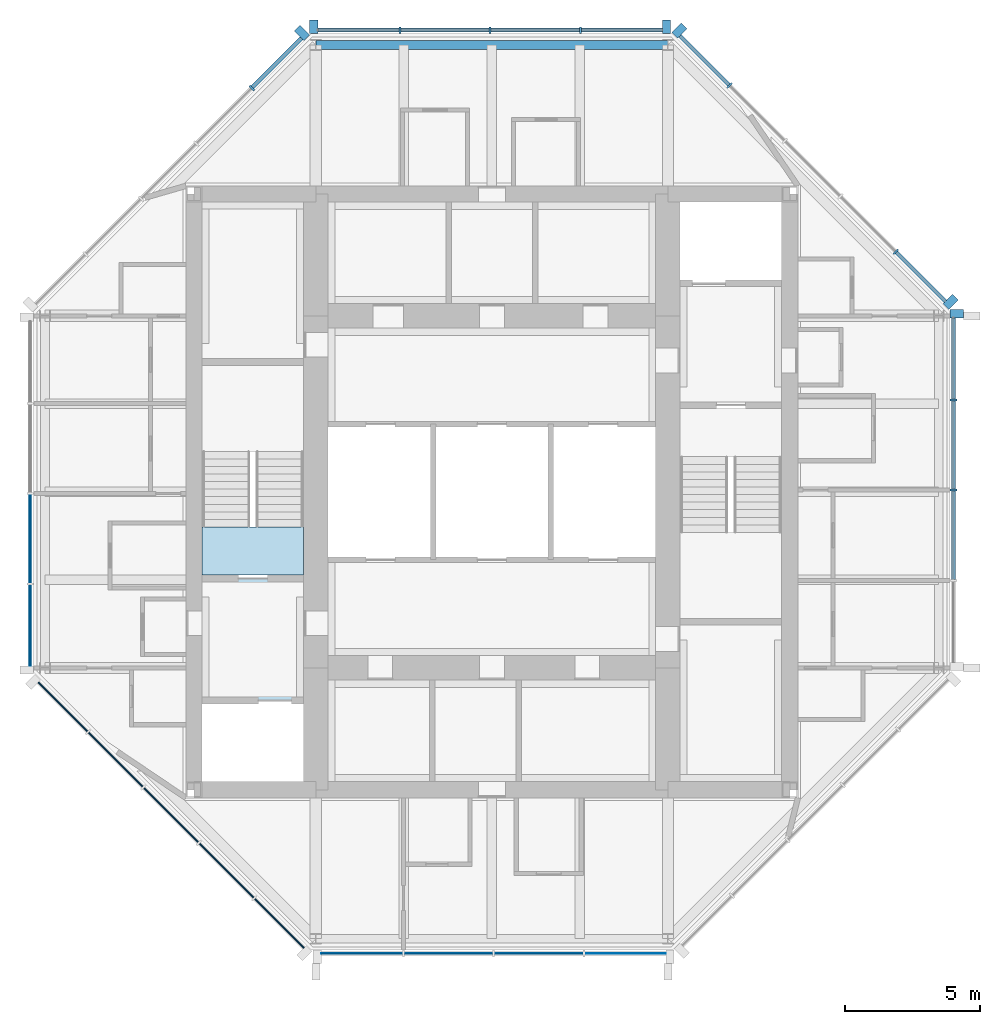
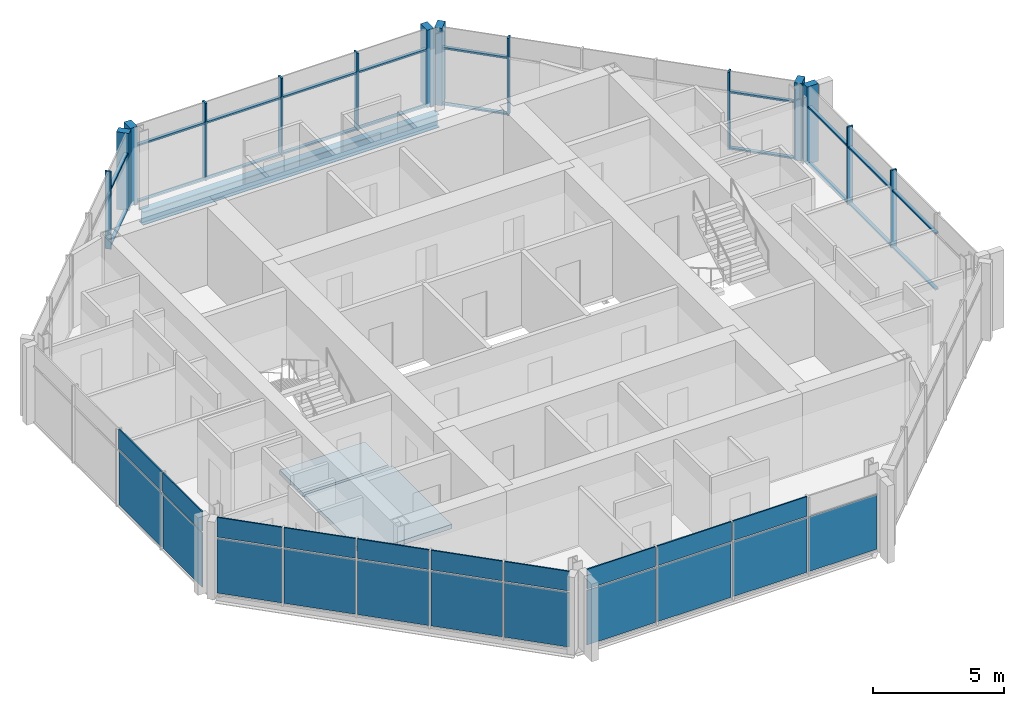
# One storey, part 3 of 9: 34 members, 21 plates, 2 slabs, 1 beam, 8 elements without a shape of their own.
"""IFC4 building model written with IfcOpenShell, lengths in metres."""

from ifc_helpers import new_model, si_unit, direction, frame, origin, origin_2d, place, context, subcontext, project, spatial, polyline, rectangle, i_section, outline, extrude, material, layer, layer_set, material_profile, profile_set, type_object, element, aggregate, save


model = new_model("IFC4")

# Units and contexts
model_context = context("Model", 3, precision=1e-05, world=origin(), true_north=direction((0.0, 1.0)))
body_context = subcontext(model_context, "Body", "Model", "MODEL_VIEW")
ifc_project = project(units=[si_unit("LENGTHUNIT", "METRE"), si_unit("AREAUNIT", "SQUARE_METRE"), si_unit("VOLUMEUNIT", "CUBIC_METRE"), si_unit("PLANEANGLEUNIT", "RADIAN"), si_unit("MASSUNIT", "GRAM", prefix="KILO")], contexts=[model_context])

# Site, building, storey
site_placement = place(None, origin())
site = spatial("IfcSite", under=ifc_project, at=site_placement, CompositionType="ELEMENT")
building_placement = place(site_placement, origin())
building = spatial("IfcBuilding", under=site, at=building_placement, Name="Trevanion Tower", CompositionType="ELEMENT")
storey_placement = place(building_placement, frame((0.0, 0.0, 295.60009765625)))
storey = spatial("IfcBuildingStorey", under=building, at=storey_placement, Name="L73", CompositionType="ELEMENT", Elevation=295.60009765625)

# Curtain wall, members
ifc_material_1 = material(Name="Aluminium and glass", Category="aluminium")
curtain_wall_type = type_object("IfcCurtainWallType", Name="CW4 curtain wall", PredefinedType="USERDEFINED", material=ifc_material_1)
curtain_wall_1_placement = place(storey_placement, origin())
curtain_wall_1 = element("IfcCurtainWall", 1, at=curtain_wall_1_placement, inside=storey, type_object=curtain_wall_type, Name="CW4 L73 0", ObjectType="UNITISED CURTAIN WALL", PredefinedType="USERDEFINED")
ifc_material_2 = material(Name="Aluminium extrusion, anodised bronze", Category="aluminium")
ifc_material_profile_1 = material_profile(ifc_material_2, rectangle(XDim=0.074951171875, YDim=0.25, at=origin_2d()), Name="CW4 mullion")
ifc_profile_set_1 = profile_set([ifc_material_profile_1], Name="Aluminium extrusion, anodised bronze")
member_type_1 = type_object("IfcMemberType", Name="CW4 mullion", PredefinedType="MULLION", material=ifc_profile_set_1)
member_1_placement = place(storey_placement, frame((17.050048828125, 0.06494140625, -0.190185546875), z_axis=(0.0, 0.0, 1.0), x_axis=(0.0, 1.0, 0.0)))
member_1 = element("IfcMember", 2, at=member_1_placement, type_object=member_type_1, Name="CW4 mullion 3", PredefinedType="MULLION", context=body_context, shape_type="SweptSolid", body=[
    extrude(rectangle(XDim=0.074951171875, YDim=0.25, at=origin_2d()), origin(), (0.0, 0.0, 1.0), 3.60009765625),
])
member_2_placement = place(storey_placement, frame((17.050048828125, 3.396484375, -0.190185546875), z_axis=(0.0, 0.0, 1.0), x_axis=(0.0, 1.0, 0.0)))
member_2 = element("IfcMember", 3, at=member_2_placement, type_object=member_type_1, Name="CW4 mullion 4", PredefinedType="MULLION", context=body_context, shape_type="SweptSolid", body=[
    extrude(rectangle(XDim=0.074951171875, YDim=0.25, at=origin_2d()), origin(), (0.0, 0.0, 1.0), 3.60009765625),
])

curtain_wall_2_placement = place(storey_placement, origin())
curtain_wall_2 = element("IfcCurtainWall", 4, at=curtain_wall_2_placement, inside=storey, type_object=curtain_wall_type, Name="CW4 L73 1", ObjectType="UNITISED CURTAIN WALL", PredefinedType="USERDEFINED")
member_3_placement = place(storey_placement, frame((14.912109375, 8.86572265625, -0.190185546875), z_axis=(0.0, 0.0, 1.0), x_axis=(-0.707106781187, 0.707106781187, 0.0)))
member_3 = element("IfcMember", 5, at=member_3_placement, type_object=member_type_1, Name="CW4 mullion 2", PredefinedType="MULLION", context=body_context, shape_type="SweptSolid", body=[
    extrude(rectangle(XDim=0.074951171875, YDim=0.25, at=origin_2d()), origin(), (0.0, 0.0, 1.0), 3.60009765625),
])
member_4_placement = place(storey_placement, frame((8.77392578125, 15.00390625, -0.190185546875), z_axis=(0.0, 0.0, 1.0), x_axis=(-0.707106781187, 0.707106781187, 0.0)))
member_4 = element("IfcMember", 6, at=member_4_placement, type_object=member_type_1, Name="CW4 mullion 5", PredefinedType="MULLION", context=body_context, shape_type="SweptSolid", body=[
    extrude(rectangle(XDim=0.074951171875, YDim=0.25, at=origin_2d()), origin(), (0.0, 0.0, 1.0), 3.60009765625),
])

curtain_wall_3_placement = place(storey_placement, origin())
curtain_wall_3 = element("IfcCurtainWall", 7, at=curtain_wall_3_placement, inside=storey, type_object=curtain_wall_type, Name="CW4 L73 2", ObjectType="UNITISED CURTAIN WALL", PredefinedType="USERDEFINED")
member_5_placement = place(storey_placement, frame((3.266357421875, 17.050048828125, -0.190185546875), z_axis=(0.0, 0.0, 1.0), x_axis=(-1.0, 0.0, 0.0)))
member_5 = element("IfcMember", 8, at=member_5_placement, type_object=member_type_1, Name="CW4 mullion 2", PredefinedType="MULLION", context=body_context, shape_type="SweptSolid", body=[
    extrude(rectangle(XDim=0.074951171875, YDim=0.25, at=origin_2d()), origin(), (0.0, 0.0, 1.0), 3.60009765625),
])
member_6_placement = place(storey_placement, frame((-0.06494140625, 17.050048828125, -0.190185546875), z_axis=(0.0, 0.0, 1.0), x_axis=(-1.0, 0.0, 0.0)))
member_6 = element("IfcMember", 9, at=member_6_placement, type_object=member_type_1, Name="CW4 mullion 3", PredefinedType="MULLION", context=body_context, shape_type="SweptSolid", body=[
    extrude(rectangle(XDim=0.074951171875, YDim=0.25, at=origin_2d()), origin(), (0.0, 0.0, 1.0), 3.60009765625),
])
member_7_placement = place(storey_placement, frame((-3.396484375, 17.050048828125, -0.190185546875), z_axis=(0.0, 0.0, 1.0), x_axis=(-1.0, 0.0, 0.0)))
member_7 = element("IfcMember", 10, at=member_7_placement, type_object=member_type_1, Name="CW4 mullion 4", PredefinedType="MULLION", context=body_context, shape_type="SweptSolid", body=[
    extrude(rectangle(XDim=0.074951171875, YDim=0.25, at=origin_2d()), origin(), (0.0, 0.0, 1.0), 3.60009765625),
])

# Curtain wall, member
curtain_wall_4_placement = place(storey_placement, origin())
curtain_wall_4 = element("IfcCurtainWall", 11, at=curtain_wall_4_placement, inside=storey, type_object=curtain_wall_type, Name="CW4 L73 3", ObjectType="UNITISED CURTAIN WALL", PredefinedType="USERDEFINED")
member_8_placement = place(storey_placement, frame((-8.86572265625, 14.912109375, -0.190185546875), z_axis=(0.0, 0.0, 1.0), x_axis=(-0.707106781187, -0.707106781187, 0.0)))
member_8 = element("IfcMember", 12, at=member_8_placement, type_object=member_type_1, Name="CW4 mullion 2", PredefinedType="MULLION", context=body_context, shape_type="SweptSolid", body=[
    extrude(rectangle(XDim=0.074951171875, YDim=0.25, at=origin_2d()), origin(), (0.0, 0.0, 1.0), 3.60009765625),
])

# Member
ifc_material_3 = material(Name="Aluminium extrusion, anodised bronze", Category="aluminium")
ifc_material_profile_2 = material_profile(ifc_material_3, rectangle(XDim=0.300048828125, YDim=0.5, at=origin_2d()), Name="CW4 pier mullion")
ifc_profile_set_2 = profile_set([ifc_material_profile_2], Name="Aluminium extrusion, anodised bronze")
member_type_2 = type_object("IfcMemberType", Name="CW4 pier mullion", PredefinedType="MULLION", material=ifc_profile_set_2)
member_9_placement = place(storey_placement, frame((17.175048828125, 6.577880859375, -0.190185546875), z_axis=(0.0, 0.0, 1.0), x_axis=(0.0, 1.0, 0.0)))
member_9 = element("IfcMember", 13, at=member_9_placement, type_object=member_type_2, Name="CW4 pier mullion 5", PredefinedType="MULLION", context=body_context, shape_type="SweptSolid", body=[
    extrude(rectangle(XDim=0.300048828125, YDim=0.5, at=origin_2d()), origin(), (0.0, 0.0, 1.0), 3.60009765625),
])

member_10_placement = place(storey_placement, frame((16.9404296875, 7.01416015625, -0.190185546875), z_axis=(0.0, 0.0, 1.0), x_axis=(-0.707106781187, 0.707106781187, 0.0)))
member_10 = element("IfcMember", 14, at=member_10_placement, type_object=member_type_2, Name="CW4 pier mullion 1", PredefinedType="MULLION", context=body_context, shape_type="SweptSolid", body=[
    extrude(rectangle(XDim=0.300048828125, YDim=0.5, at=origin_2d()), origin(), (0.0, 0.0, 1.0), 3.60009765625),
])

member_11_placement = place(storey_placement, frame((6.92236328125, 17.0322265625, -0.190185546875), z_axis=(0.0, 0.0, 1.0), x_axis=(-0.707106781187, 0.707106781187, 0.0)))
member_11 = element("IfcMember", 15, at=member_11_placement, type_object=member_type_2, Name="CW4 pier mullion 6", PredefinedType="MULLION", context=body_context, shape_type="SweptSolid", body=[
    extrude(rectangle(XDim=0.300048828125, YDim=0.5, at=origin_2d()), origin(), (0.0, 0.0, 1.0), 3.60009765625),
])

member_12_placement = place(storey_placement, frame((6.44775390625, 17.175048828125, -0.190185546875), z_axis=(0.0, 0.0, 1.0), x_axis=(-1.0, 0.0, 0.0)))
member_12 = element("IfcMember", 16, at=member_12_placement, type_object=member_type_2, Name="CW4 pier mullion 1", PredefinedType="MULLION", context=body_context, shape_type="SweptSolid", body=[
    extrude(rectangle(XDim=0.300048828125, YDim=0.5, at=origin_2d()), origin(), (0.0, 0.0, 1.0), 3.60009765625),
])

member_13_placement = place(storey_placement, frame((-6.577880859375, 17.175048828125, -0.190185546875), z_axis=(0.0, 0.0, 1.0), x_axis=(-1.0, 0.0, 0.0)))
member_13 = element("IfcMember", 17, at=member_13_placement, type_object=member_type_2, Name="CW4 pier mullion 5", PredefinedType="MULLION", context=body_context, shape_type="SweptSolid", body=[
    extrude(rectangle(XDim=0.300048828125, YDim=0.5, at=origin_2d()), origin(), (0.0, 0.0, 1.0), 3.60009765625),
])

member_14_placement = place(storey_placement, frame((-7.01416015625, 16.9404296875, -0.190185546875), z_axis=(0.0, 0.0, 1.0), x_axis=(-0.707106781187, -0.707106781187, 0.0)))
member_14 = element("IfcMember", 18, at=member_14_placement, type_object=member_type_2, Name="CW4 pier mullion 1", PredefinedType="MULLION", context=body_context, shape_type="SweptSolid", body=[
    extrude(rectangle(XDim=0.300048828125, YDim=0.5, at=origin_2d()), origin(), (0.0, 0.0, 1.0), 3.60009765625),
])

ifc_material_4 = material(Name="Aluminium extrusion, anodised bronze", Category="aluminium")
ifc_material_profile_3 = material_profile(ifc_material_4, rectangle(XDim=0.14990234375, YDim=0.074951171875, at=origin_2d()), Name="CW4 transom")
ifc_profile_set_3 = profile_set([ifc_material_profile_3], Name="Aluminium extrusion, anodised bronze")
member_type_3 = type_object("IfcMemberType", Name="CW4 transom", PredefinedType="USERDEFINED", material=ifc_profile_set_3)
member_15_placement = place(storey_placement, frame((17.050048828125, -3.22900390625, -0.152587890625), z_axis=(0.0, 1.0, 0.0), x_axis=(-1.0, 0.0, 0.0)))
member_15 = element("IfcMember", 19, at=member_15_placement, type_object=member_type_3, Name="CW4 transom 2.1", ObjectType="TRANSOM", PredefinedType="USERDEFINED", context=body_context, shape_type="SweptSolid", body=[
    extrude(rectangle(XDim=0.14990234375, YDim=0.074951171875, at=origin_2d()), origin(), (0.0, 0.0, 1.0), 3.256591796875),
])

member_16_placement = place(storey_placement, frame((17.050048828125, -3.22900390625, 2.4599609375), z_axis=(0.0, 1.0, 0.0), x_axis=(-1.0, 0.0, 0.0)))
member_16 = element("IfcMember", 20, at=member_16_placement, type_object=member_type_3, Name="CW4 transom 2.2", ObjectType="TRANSOM", PredefinedType="USERDEFINED", context=body_context, shape_type="SweptSolid", body=[
    extrude(rectangle(XDim=0.14990234375, YDim=0.074951171875, at=origin_2d()), origin(), (0.0, 0.0, 1.0), 3.256591796875),
])

member_17_placement = place(storey_placement, frame((17.050048828125, 0.1025390625, -0.152587890625), z_axis=(0.0, 1.0, 0.0), x_axis=(-1.0, 0.0, 0.0)))
member_17 = element("IfcMember", 21, at=member_17_placement, type_object=member_type_3, Name="CW4 transom 3.1", ObjectType="TRANSOM", PredefinedType="USERDEFINED", context=body_context, shape_type="SweptSolid", body=[
    extrude(rectangle(XDim=0.14990234375, YDim=0.074951171875, at=origin_2d()), origin(), (0.0, 0.0, 1.0), 3.25634765625),
])

member_18_placement = place(storey_placement, frame((17.050048828125, 0.1025390625, 2.4599609375), z_axis=(0.0, 1.0, 0.0), x_axis=(-1.0, 0.0, 0.0)))
member_18 = element("IfcMember", 22, at=member_18_placement, type_object=member_type_3, Name="CW4 transom 3.2", ObjectType="TRANSOM", PredefinedType="USERDEFINED", context=body_context, shape_type="SweptSolid", body=[
    extrude(rectangle(XDim=0.14990234375, YDim=0.074951171875, at=origin_2d()), origin(), (0.0, 0.0, 1.0), 3.25634765625),
])

member_19_placement = place(storey_placement, frame((17.050048828125, 3.433837890625, -0.152587890625), z_axis=(0.0, 1.0, 0.0), x_axis=(-1.0, 0.0, 0.0)))
member_19 = element("IfcMember", 23, at=member_19_placement, type_object=member_type_3, Name="CW4 transom 4.1", ObjectType="TRANSOM", PredefinedType="USERDEFINED", context=body_context, shape_type="SweptSolid", body=[
    extrude(rectangle(XDim=0.14990234375, YDim=0.074951171875, at=origin_2d()), origin(), (0.0, 0.0, 1.0), 2.993896484375),
])

member_20_placement = place(storey_placement, frame((17.050048828125, 3.433837890625, 2.4599609375), z_axis=(0.0, 1.0, 0.0), x_axis=(-1.0, 0.0, 0.0)))
member_20 = element("IfcMember", 24, at=member_20_placement, type_object=member_type_3, Name="CW4 transom 4.2", ObjectType="TRANSOM", PredefinedType="USERDEFINED", context=body_context, shape_type="SweptSolid", body=[
    extrude(rectangle(XDim=0.14990234375, YDim=0.074951171875, at=origin_2d()), origin(), (0.0, 0.0, 1.0), 2.993896484375),
])

aggregate(curtain_wall_1, [member_1, member_2, member_9, member_15, member_16, member_17, member_18, member_19, member_20])

member_21_placement = place(storey_placement, frame((16.745849609375, 7.031982421875, -0.152587890625), z_axis=(-0.707106781187, 0.707106781187, 0.0), x_axis=(-0.707106781187, -0.707106781187, 0.0)))
member_21 = element("IfcMember", 25, at=member_21_placement, type_object=member_type_3, Name="CW4 transom 1.1", ObjectType="TRANSOM", PredefinedType="USERDEFINED", context=body_context, shape_type="SweptSolid", body=[
    extrude(rectangle(XDim=0.14990234375, YDim=0.074951171875, at=origin_2d()), origin(), (0.0, 0.0, 1.0), 2.555908203125),
])

member_22_placement = place(storey_placement, frame((16.745849609375, 7.031982421875, 2.4599609375), z_axis=(-0.707106781187, 0.707106781187, 0.0), x_axis=(-0.707106781187, -0.707106781187, 0.0)))
member_22 = element("IfcMember", 26, at=member_22_placement, type_object=member_type_3, Name="CW4 transom 1.2", ObjectType="TRANSOM", PredefinedType="USERDEFINED", context=body_context, shape_type="SweptSolid", body=[
    extrude(rectangle(XDim=0.14990234375, YDim=0.074951171875, at=origin_2d()), origin(), (0.0, 0.0, 1.0), 2.555908203125),
])

member_23_placement = place(storey_placement, frame((8.747314453125, 15.030517578125, -0.152587890625), z_axis=(-0.707106781187, 0.707106781187, 0.0), x_axis=(-0.707106781187, -0.707106781187, 0.0)))
member_23 = element("IfcMember", 27, at=member_23_placement, type_object=member_type_3, Name="CW4 transom 5.1", ObjectType="TRANSOM", PredefinedType="USERDEFINED", context=body_context, shape_type="SweptSolid", body=[
    extrude(rectangle(XDim=0.14990234375, YDim=0.074951171875, at=origin_2d()), origin(), (0.0, 0.0, 1.0), 2.555908203125),
])

member_24_placement = place(storey_placement, frame((8.747314453125, 15.030517578125, 2.4599609375), z_axis=(-0.707106781187, 0.707106781187, 0.0), x_axis=(-0.707106781187, -0.707106781187, 0.0)))
member_24 = element("IfcMember", 28, at=member_24_placement, type_object=member_type_3, Name="CW4 transom 5.2", ObjectType="TRANSOM", PredefinedType="USERDEFINED", context=body_context, shape_type="SweptSolid", body=[
    extrude(rectangle(XDim=0.14990234375, YDim=0.074951171875, at=origin_2d()), origin(), (0.0, 0.0, 1.0), 2.555908203125),
])

aggregate(curtain_wall_2, [member_10, member_3, member_4, member_11, member_21, member_22, member_23, member_24])

member_25_placement = place(storey_placement, frame((6.2978515625, 17.050048828125, -0.152587890625), z_axis=(-1.0, 0.0, 0.0), x_axis=(0.0, -1.0, 0.0)))
member_25 = element("IfcMember", 29, at=member_25_placement, type_object=member_type_3, Name="CW4 transom 1.1", ObjectType="TRANSOM", PredefinedType="USERDEFINED", context=body_context, shape_type="SweptSolid", body=[
    extrude(rectangle(XDim=0.14990234375, YDim=0.074951171875, at=origin_2d()), origin(), (0.0, 0.0, 1.0), 2.993896484375),
])

member_26_placement = place(storey_placement, frame((6.2978515625, 17.050048828125, 2.4599609375), z_axis=(-1.0, 0.0, 0.0), x_axis=(0.0, -1.0, 0.0)))
member_26 = element("IfcMember", 30, at=member_26_placement, type_object=member_type_3, Name="CW4 transom 1.2", ObjectType="TRANSOM", PredefinedType="USERDEFINED", context=body_context, shape_type="SweptSolid", body=[
    extrude(rectangle(XDim=0.14990234375, YDim=0.074951171875, at=origin_2d()), origin(), (0.0, 0.0, 1.0), 2.993896484375),
])

member_27_placement = place(storey_placement, frame((3.22900390625, 17.050048828125, -0.152587890625), z_axis=(-1.0, 0.0, 0.0), x_axis=(0.0, -1.0, 0.0)))
member_27 = element("IfcMember", 31, at=member_27_placement, type_object=member_type_3, Name="CW4 transom 2.1", ObjectType="TRANSOM", PredefinedType="USERDEFINED", context=body_context, shape_type="SweptSolid", body=[
    extrude(rectangle(XDim=0.14990234375, YDim=0.074951171875, at=origin_2d()), origin(), (0.0, 0.0, 1.0), 3.256591796875),
])

member_28_placement = place(storey_placement, frame((3.22900390625, 17.050048828125, 2.4599609375), z_axis=(-1.0, 0.0, 0.0), x_axis=(0.0, -1.0, 0.0)))
member_28 = element("IfcMember", 32, at=member_28_placement, type_object=member_type_3, Name="CW4 transom 2.2", ObjectType="TRANSOM", PredefinedType="USERDEFINED", context=body_context, shape_type="SweptSolid", body=[
    extrude(rectangle(XDim=0.14990234375, YDim=0.074951171875, at=origin_2d()), origin(), (0.0, 0.0, 1.0), 3.256591796875),
])

member_29_placement = place(storey_placement, frame((-0.1025390625, 17.050048828125, -0.152587890625), z_axis=(-1.0, 0.0, 0.0), x_axis=(0.0, -1.0, 0.0)))
member_29 = element("IfcMember", 33, at=member_29_placement, type_object=member_type_3, Name="CW4 transom 3.1", ObjectType="TRANSOM", PredefinedType="USERDEFINED", context=body_context, shape_type="SweptSolid", body=[
    extrude(rectangle(XDim=0.14990234375, YDim=0.074951171875, at=origin_2d()), origin(), (0.0, 0.0, 1.0), 3.25634765625),
])

member_30_placement = place(storey_placement, frame((-0.1025390625, 17.050048828125, 2.4599609375), z_axis=(-1.0, 0.0, 0.0), x_axis=(0.0, -1.0, 0.0)))
member_30 = element("IfcMember", 34, at=member_30_placement, type_object=member_type_3, Name="CW4 transom 3.2", ObjectType="TRANSOM", PredefinedType="USERDEFINED", context=body_context, shape_type="SweptSolid", body=[
    extrude(rectangle(XDim=0.14990234375, YDim=0.074951171875, at=origin_2d()), origin(), (0.0, 0.0, 1.0), 3.25634765625),
])

member_31_placement = place(storey_placement, frame((-3.433837890625, 17.050048828125, -0.152587890625), z_axis=(-1.0, 0.0, 0.0), x_axis=(0.0, -1.0, 0.0)))
member_31 = element("IfcMember", 35, at=member_31_placement, type_object=member_type_3, Name="CW4 transom 4.1", ObjectType="TRANSOM", PredefinedType="USERDEFINED", context=body_context, shape_type="SweptSolid", body=[
    extrude(rectangle(XDim=0.14990234375, YDim=0.074951171875, at=origin_2d()), origin(), (0.0, 0.0, 1.0), 2.993896484375),
])

member_32_placement = place(storey_placement, frame((-3.433837890625, 17.050048828125, 2.4599609375), z_axis=(-1.0, 0.0, 0.0), x_axis=(0.0, -1.0, 0.0)))
member_32 = element("IfcMember", 36, at=member_32_placement, type_object=member_type_3, Name="CW4 transom 4.2", ObjectType="TRANSOM", PredefinedType="USERDEFINED", context=body_context, shape_type="SweptSolid", body=[
    extrude(rectangle(XDim=0.14990234375, YDim=0.074951171875, at=origin_2d()), origin(), (0.0, 0.0, 1.0), 2.993896484375),
])

aggregate(curtain_wall_3, [member_12, member_5, member_6, member_7, member_13, member_25, member_26, member_27, member_28, member_29, member_30, member_31, member_32])

member_33_placement = place(storey_placement, frame((-7.031982421875, 16.745849609375, -0.152587890625), z_axis=(-0.707106781187, -0.707106781187, 0.0), x_axis=(0.707106781187, -0.707106781187, 0.0)))
member_33 = element("IfcMember", 37, at=member_33_placement, type_object=member_type_3, Name="CW4 transom 1.1", ObjectType="TRANSOM", PredefinedType="USERDEFINED", context=body_context, shape_type="SweptSolid", body=[
    extrude(rectangle(XDim=0.14990234375, YDim=0.074951171875, at=origin_2d()), origin(), (0.0, 0.0, 1.0), 2.555908203125),
])

member_34_placement = place(storey_placement, frame((-7.031982421875, 16.745849609375, 2.4599609375), z_axis=(-0.707106781187, -0.707106781187, 0.0), x_axis=(0.707106781187, -0.707106781187, 0.0)))
member_34 = element("IfcMember", 38, at=member_34_placement, type_object=member_type_3, Name="CW4 transom 1.2", ObjectType="TRANSOM", PredefinedType="USERDEFINED", context=body_context, shape_type="SweptSolid", body=[
    extrude(rectangle(XDim=0.14990234375, YDim=0.074951171875, at=origin_2d()), origin(), (0.0, 0.0, 1.0), 2.555908203125),
])

aggregate(curtain_wall_4, [member_14, member_8, member_33, member_34])

# Beam
ifc_material_5 = material(Name="Steel ASTM A992 Grade 50", Category="steel")
ifc_material_profile_4 = material_profile(ifc_material_5, i_section(OverallWidth=0.32763671875, OverallDepth=0.622314453125, WebThickness=0.015380859375, FlangeThickness=0.0244140625, at=origin_2d()), Name="W24X131")
ifc_profile_set_4 = profile_set([ifc_material_profile_4], Name="Steel ASTM A992 Grade 50")
beam_type = type_object("IfcBeamType", Name="SB12 W24X131", PredefinedType="SPANDREL", material=ifc_profile_set_4)
beam_placement = place(storey_placement, frame((6.5, 16.5, -0.501220703125), z_axis=(-1.0, 0.0, 0.0), x_axis=(0.0, -1.0, 0.0)))
element("IfcBeam", 39, at=beam_placement, inside=storey, type_object=beam_type, Name="SB12 L73", PredefinedType="SPANDREL", context=body_context, shape_type="SweptSolid", body=[
    extrude(i_section(OverallWidth=0.32763671875, OverallDepth=0.622314453125, WebThickness=0.015380859375, FlangeThickness=0.0244140625, at=origin_2d()), origin(), (0.0, 0.0, 1.0), 13.0),
])

# Curtain wall, plates
curtain_wall_5_placement = place(storey_placement, origin())
curtain_wall_5 = element("IfcCurtainWall", 40, at=curtain_wall_5_placement, inside=storey, type_object=curtain_wall_type, Name="CW4 L73 4", ObjectType="UNITISED CURTAIN WALL", PredefinedType="USERDEFINED")
ifc_material_6 = material(Name="Aluminium spandrel panel", Category="aluminium")
ifc_layer_1 = layer(ifc_material_6, 0.06005859375)
ifc_layer_set_1 = layer_set([ifc_layer_1], Name="CW4 spandrel panel")
plate_type_1 = type_object("IfcPlateType", Name="CW4 spandrel panel", PredefinedType="CURTAIN_PANEL", material=ifc_layer_set_1)
plate_1_placement = place(storey_placement, frame((-17.050048828125, -1.730712890625, 2.497314453125), z_axis=(0.0, 0.0, 1.0), x_axis=(0.0, -1.0, 0.0)))
plate_1 = element("IfcPlate", 41, at=plate_1_placement, type_object=plate_type_1, Name="CW4 panel 3.2", PredefinedType="CURTAIN_PANEL", context=body_context, shape_type="SweptSolid", body=[
    extrude(rectangle(XDim=3.25634765625, YDim=0.06005859375, at=origin_2d()), origin(), (0.0, 0.0, 1.0), 0.91259765625),
])
plate_2_placement = place(storey_placement, frame((-17.050048828125, -4.930908203125, 2.497314453125), z_axis=(0.0, 0.0, 1.0), x_axis=(0.0, -1.0, 0.0)))
plate_2 = element("IfcPlate", 42, at=plate_2_placement, type_object=plate_type_1, Name="CW4 panel 4.2", PredefinedType="CURTAIN_PANEL", context=body_context, shape_type="SweptSolid", body=[
    extrude(rectangle(XDim=2.993896484375, YDim=0.06005859375, at=origin_2d()), origin(), (0.0, 0.0, 1.0), 0.91259765625),
])

curtain_wall_6_placement = place(storey_placement, origin())
curtain_wall_6 = element("IfcCurtainWall", 43, at=curtain_wall_6_placement, inside=storey, type_object=curtain_wall_type, Name="CW4 L73 5", ObjectType="UNITISED CURTAIN WALL", PredefinedType="USERDEFINED")
plate_3_placement = place(storey_placement, frame((-15.84228515625, -7.935546875, 2.497314453125), z_axis=(0.0, 0.0, 1.0), x_axis=(0.707106781187, -0.707106781187, 0.0)))
plate_3 = element("IfcPlate", 44, at=plate_3_placement, type_object=plate_type_1, Name="CW4 panel 1.2", PredefinedType="CURTAIN_PANEL", context=body_context, shape_type="SweptSolid", body=[
    extrude(rectangle(XDim=2.55615234375, YDim=0.06005859375, at=origin_2d()), origin(), (0.0, 0.0, 1.0), 0.91259765625),
])
plate_4_placement = place(storey_placement, frame((-13.888916015625, -9.888916015625, 2.497314453125), z_axis=(0.0, 0.0, 1.0), x_axis=(0.707106781187, -0.707106781187, 0.0)))
plate_4 = element("IfcPlate", 45, at=plate_4_placement, type_object=plate_type_1, Name="CW4 panel 2.2", PredefinedType="CURTAIN_PANEL", context=body_context, shape_type="SweptSolid", body=[
    extrude(rectangle(XDim=2.818603515625, YDim=0.06005859375, at=origin_2d()), origin(), (0.0, 0.0, 1.0), 0.91259765625),
])
plate_5_placement = place(storey_placement, frame((-11.843017578125, -11.934814453125, 2.497314453125), z_axis=(0.0, 0.0, 1.0), x_axis=(0.707106781187, -0.707106781187, 0.0)))
plate_5 = element("IfcPlate", 46, at=plate_5_placement, type_object=plate_type_1, Name="CW4 panel 3.2", PredefinedType="CURTAIN_PANEL", context=body_context, shape_type="SweptSolid", body=[
    extrude(rectangle(XDim=2.818603515625, YDim=0.06005859375, at=origin_2d()), origin(), (0.0, 0.0, 1.0), 0.91259765625),
])
plate_6_placement = place(storey_placement, frame((-9.796875, -13.98095703125, 2.497314453125), z_axis=(0.0, 0.0, 1.0), x_axis=(0.707106781187, -0.707106781187, 0.0)))
plate_6 = element("IfcPlate", 47, at=plate_6_placement, type_object=plate_type_1, Name="CW4 panel 4.2", PredefinedType="CURTAIN_PANEL", context=body_context, shape_type="SweptSolid", body=[
    extrude(rectangle(XDim=2.818603515625, YDim=0.06005859375, at=origin_2d()), origin(), (0.0, 0.0, 1.0), 0.91259765625),
])
plate_7_placement = place(storey_placement, frame((-7.84375, -15.93408203125, 2.497314453125), z_axis=(0.0, 0.0, 1.0), x_axis=(0.707106781187, -0.707106781187, 0.0)))
plate_7 = element("IfcPlate", 48, at=plate_7_placement, type_object=plate_type_1, Name="CW4 panel 5.2", PredefinedType="CURTAIN_PANEL", context=body_context, shape_type="SweptSolid", body=[
    extrude(rectangle(XDim=2.55615234375, YDim=0.06005859375, at=origin_2d()), origin(), (0.0, 0.0, 1.0), 0.91259765625),
])

curtain_wall_7_placement = place(storey_placement, origin())
curtain_wall_7 = element("IfcCurtainWall", 49, at=curtain_wall_7_placement, inside=storey, type_object=curtain_wall_type, Name="CW4 L73 6", ObjectType="UNITISED CURTAIN WALL", PredefinedType="USERDEFINED")
plate_8_placement = place(storey_placement, frame((-4.80078125, -17.050048828125, 2.497314453125), z_axis=(0.0, 0.0, 1.0), x_axis=(1.0, 0.0, 0.0)))
plate_8 = element("IfcPlate", 50, at=plate_8_placement, type_object=plate_type_1, Name="CW4 panel 1.2", PredefinedType="CURTAIN_PANEL", context=body_context, shape_type="SweptSolid", body=[
    extrude(rectangle(XDim=2.993896484375, YDim=0.06005859375, at=origin_2d()), origin(), (0.0, 0.0, 1.0), 0.91259765625),
])
plate_9_placement = place(storey_placement, frame((-1.6005859375, -17.050048828125, 2.497314453125), z_axis=(0.0, 0.0, 1.0), x_axis=(1.0, 0.0, 0.0)))
plate_9 = element("IfcPlate", 51, at=plate_9_placement, type_object=plate_type_1, Name="CW4 panel 2.2", PredefinedType="CURTAIN_PANEL", context=body_context, shape_type="SweptSolid", body=[
    extrude(rectangle(XDim=3.25634765625, YDim=0.06005859375, at=origin_2d()), origin(), (0.0, 0.0, 1.0), 0.91259765625),
])
plate_10_placement = place(storey_placement, frame((1.730712890625, -17.050048828125, 2.497314453125), z_axis=(0.0, 0.0, 1.0), x_axis=(1.0, 0.0, 0.0)))
plate_10 = element("IfcPlate", 52, at=plate_10_placement, type_object=plate_type_1, Name="CW4 panel 3.2", PredefinedType="CURTAIN_PANEL", context=body_context, shape_type="SweptSolid", body=[
    extrude(rectangle(XDim=3.25634765625, YDim=0.06005859375, at=origin_2d()), origin(), (0.0, 0.0, 1.0), 0.91259765625),
])

# Plate
ifc_material_7 = material(Name="Insulating glass unit", Category="glass")
ifc_layer_2 = layer(ifc_material_7, 0.028076171875)
ifc_layer_set_2 = layer_set([ifc_layer_2], Name="CW4 vision panel")
plate_type_2 = type_object("IfcPlateType", Name="CW4 vision panel", PredefinedType="CURTAIN_PANEL", material=ifc_layer_set_2)
plate_11_placement = place(storey_placement, frame((-17.050048828125, -1.730712890625, -0.114990234375), z_axis=(0.0, 0.0, 1.0), x_axis=(0.0, -1.0, 0.0)))
plate_11 = element("IfcPlate", 53, at=plate_11_placement, type_object=plate_type_2, Name="CW4 panel 3.1", PredefinedType="CURTAIN_PANEL", context=body_context, shape_type="SweptSolid", body=[
    extrude(rectangle(XDim=3.25634765625, YDim=0.028076171875, at=origin_2d()), origin(), (0.0, 0.0, 1.0), 2.53759765625),
])

plate_12_placement = place(storey_placement, frame((-17.050048828125, -4.930908203125, -0.114990234375), z_axis=(0.0, 0.0, 1.0), x_axis=(0.0, -1.0, 0.0)))
plate_12 = element("IfcPlate", 54, at=plate_12_placement, type_object=plate_type_2, Name="CW4 panel 4.1", PredefinedType="CURTAIN_PANEL", context=body_context, shape_type="SweptSolid", body=[
    extrude(rectangle(XDim=2.993896484375, YDim=0.028076171875, at=origin_2d()), origin(), (0.0, 0.0, 1.0), 2.53759765625),
])

aggregate(curtain_wall_5, [plate_11, plate_1, plate_12, plate_2])

plate_13_placement = place(storey_placement, frame((-15.84228515625, -7.935546875, -0.114990234375), z_axis=(0.0, 0.0, 1.0), x_axis=(0.707106781187, -0.707106781187, 0.0)))
plate_13 = element("IfcPlate", 55, at=plate_13_placement, type_object=plate_type_2, Name="CW4 panel 1.1", PredefinedType="CURTAIN_PANEL", context=body_context, shape_type="SweptSolid", body=[
    extrude(rectangle(XDim=2.55615234375, YDim=0.028076171875, at=origin_2d()), origin(), (0.0, 0.0, 1.0), 2.53759765625),
])

plate_14_placement = place(storey_placement, frame((-13.888916015625, -9.888916015625, -0.114990234375), z_axis=(0.0, 0.0, 1.0), x_axis=(0.707106781187, -0.707106781187, 0.0)))
plate_14 = element("IfcPlate", 56, at=plate_14_placement, type_object=plate_type_2, Name="CW4 panel 2.1", PredefinedType="CURTAIN_PANEL", context=body_context, shape_type="SweptSolid", body=[
    extrude(rectangle(XDim=2.818603515625, YDim=0.028076171875, at=origin_2d()), origin(), (0.0, 0.0, 1.0), 2.53759765625),
])

plate_15_placement = place(storey_placement, frame((-11.843017578125, -11.934814453125, -0.114990234375), z_axis=(0.0, 0.0, 1.0), x_axis=(0.707106781187, -0.707106781187, 0.0)))
plate_15 = element("IfcPlate", 57, at=plate_15_placement, type_object=plate_type_2, Name="CW4 panel 3.1", PredefinedType="CURTAIN_PANEL", context=body_context, shape_type="SweptSolid", body=[
    extrude(rectangle(XDim=2.818603515625, YDim=0.028076171875, at=origin_2d()), origin(), (0.0, 0.0, 1.0), 2.53759765625),
])

plate_16_placement = place(storey_placement, frame((-9.796875, -13.98095703125, -0.114990234375), z_axis=(0.0, 0.0, 1.0), x_axis=(0.707106781187, -0.707106781187, 0.0)))
plate_16 = element("IfcPlate", 58, at=plate_16_placement, type_object=plate_type_2, Name="CW4 panel 4.1", PredefinedType="CURTAIN_PANEL", context=body_context, shape_type="SweptSolid", body=[
    extrude(rectangle(XDim=2.818603515625, YDim=0.028076171875, at=origin_2d()), origin(), (0.0, 0.0, 1.0), 2.53759765625),
])

plate_17_placement = place(storey_placement, frame((-7.84375, -15.93408203125, -0.114990234375), z_axis=(0.0, 0.0, 1.0), x_axis=(0.707106781187, -0.707106781187, 0.0)))
plate_17 = element("IfcPlate", 59, at=plate_17_placement, type_object=plate_type_2, Name="CW4 panel 5.1", PredefinedType="CURTAIN_PANEL", context=body_context, shape_type="SweptSolid", body=[
    extrude(rectangle(XDim=2.55615234375, YDim=0.028076171875, at=origin_2d()), origin(), (0.0, 0.0, 1.0), 2.53759765625),
])

aggregate(curtain_wall_6, [plate_13, plate_3, plate_14, plate_4, plate_15, plate_5, plate_16, plate_6, plate_17, plate_7])

plate_18_placement = place(storey_placement, frame((-4.80078125, -17.050048828125, -0.114990234375), z_axis=(0.0, 0.0, 1.0), x_axis=(1.0, 0.0, 0.0)))
plate_18 = element("IfcPlate", 60, at=plate_18_placement, type_object=plate_type_2, Name="CW4 panel 1.1", PredefinedType="CURTAIN_PANEL", context=body_context, shape_type="SweptSolid", body=[
    extrude(rectangle(XDim=2.993896484375, YDim=0.028076171875, at=origin_2d()), origin(), (0.0, 0.0, 1.0), 2.53759765625),
])

plate_19_placement = place(storey_placement, frame((-1.6005859375, -17.050048828125, -0.114990234375), z_axis=(0.0, 0.0, 1.0), x_axis=(1.0, 0.0, 0.0)))
plate_19 = element("IfcPlate", 61, at=plate_19_placement, type_object=plate_type_2, Name="CW4 panel 2.1", PredefinedType="CURTAIN_PANEL", context=body_context, shape_type="SweptSolid", body=[
    extrude(rectangle(XDim=3.25634765625, YDim=0.028076171875, at=origin_2d()), origin(), (0.0, 0.0, 1.0), 2.53759765625),
])

plate_20_placement = place(storey_placement, frame((1.730712890625, -17.050048828125, -0.114990234375), z_axis=(0.0, 0.0, 1.0), x_axis=(1.0, 0.0, 0.0)))
plate_20 = element("IfcPlate", 62, at=plate_20_placement, type_object=plate_type_2, Name="CW4 panel 3.1", PredefinedType="CURTAIN_PANEL", context=body_context, shape_type="SweptSolid", body=[
    extrude(rectangle(XDim=3.25634765625, YDim=0.028076171875, at=origin_2d()), origin(), (0.0, 0.0, 1.0), 2.53759765625),
])

plate_21_placement = place(storey_placement, frame((4.930908203125, -17.050048828125, -0.114990234375), z_axis=(0.0, 0.0, 1.0), x_axis=(1.0, 0.0, 0.0)))
plate_21 = element("IfcPlate", 63, at=plate_21_placement, type_object=plate_type_2, Name="CW4 panel 4.1", PredefinedType="CURTAIN_PANEL", context=body_context, shape_type="SweptSolid", body=[
    extrude(rectangle(XDim=2.993896484375, YDim=0.028076171875, at=origin_2d()), origin(), (0.0, 0.0, 1.0), 2.53759765625),
])

aggregate(curtain_wall_7, [plate_18, plate_8, plate_19, plate_9, plate_20, plate_10, plate_21])

# Slab
ifc_material_8 = material(Name="Concrete 5,000 psi", Category="concrete")
ifc_layer_3 = layer(ifc_material_8, 0.199951171875)
ifc_layer_set_3 = layer_set([ifc_layer_3], Name="SL2 core floor 200")
slab_type_1 = type_object("IfcSlabType", Name="SL2 core floor 200", PredefinedType="FLOOR", material=ifc_layer_set_3)
slab_1_placement = place(storey_placement, frame((0.0, 0.0, -0.2001953125)))
element("IfcSlab", 64, at=slab_1_placement, inside=storey, type_object=slab_type_1, Name="SL2 L73 core floor 3", PredefinedType="FLOOR", context=body_context, shape_type="SweptSolid", body=[
    extrude(outline(polyline([(-6.830078125, -3.205078125), (-6.830078125, -7.695068359375), (-10.699951171875, -7.695068359375), (-10.699951171875, -3.205078125), (-6.830078125, -3.205078125)])), origin(), (0.0, 0.0, 1.0), 0.2001953125),
])

# Stair, slab
ifc_material_9 = material(Name="Concrete 5,000 psi on steel stringers", Category="concrete")
stair_type = type_object("IfcStairType", Name="ST stair", PredefinedType="HALF_TURN_STAIR", material=ifc_material_9)
stair_placement = place(storey_placement, origin())
stair = element("IfcStair", 65, at=stair_placement, inside=storey, type_object=stair_type, Name="ST2 L73", PredefinedType="HALF_TURN_STAIR")
ifc_material_10 = material(Name="Concrete 5,000 psi in steel pan", Category="concrete")
ifc_layer_4 = layer(ifc_material_10, 0.199951171875)
ifc_layer_set_4 = layer_set([ifc_layer_4], Name="STL stair landing 200")
slab_type_2 = type_object("IfcSlabType", Name="STL stair landing 200", PredefinedType="LANDING", material=ifc_layer_set_4)
slab_2_placement = place(storey_placement, frame((0.0, 0.0, -0.2001953125)))
slab_2 = element("IfcSlab", 66, at=slab_2_placement, type_object=slab_type_2, Name="ST2 landing 1", PredefinedType="LANDING", context=body_context, shape_type="SweptSolid", body=[
    extrude(outline(polyline([(-6.949951171875, -1.300048828125), (-10.699951171875, -1.300048828125), (-10.699951171875, -3.074951171875), (-6.949951171875, -3.074951171875), (-6.949951171875, -1.300048828125)])), origin(), (0.0, 0.0, 1.0), 0.2001953125),
])
aggregate(stair, [slab_2])

save(model, "model.ifc")
